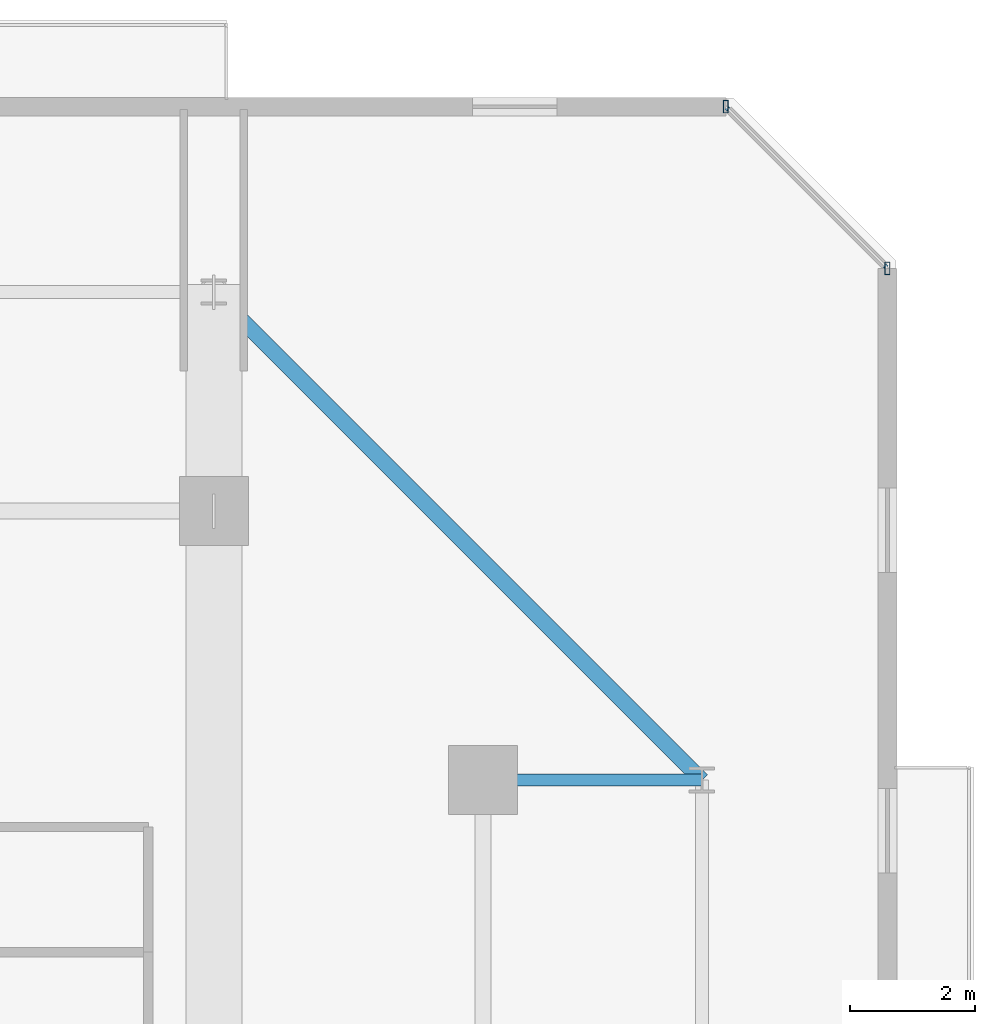
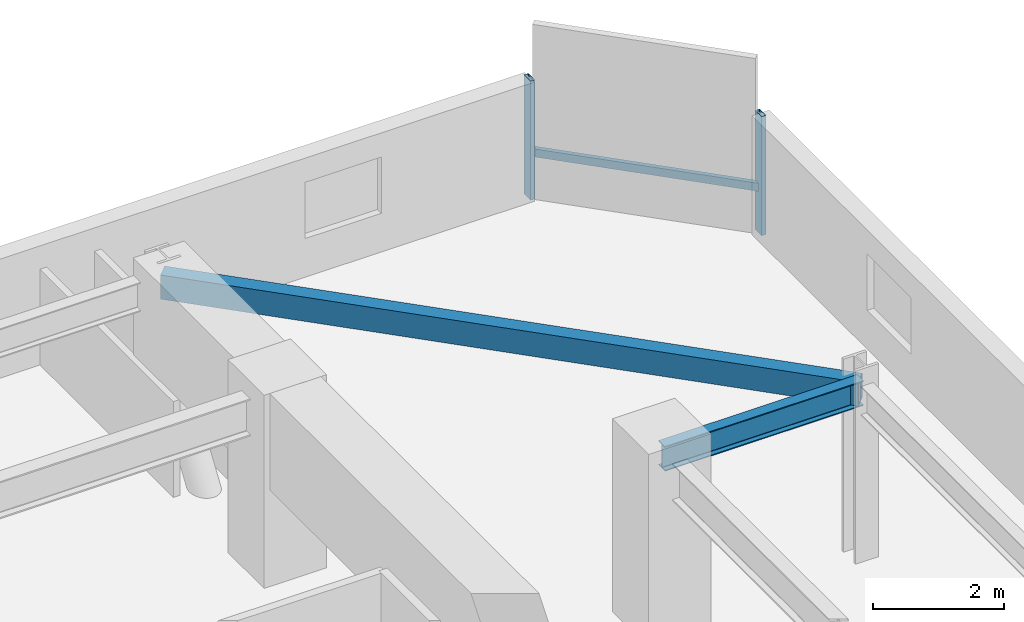
# One storey, part 17 of 36: 3 members, 2 beams, 1 element without a shape of its own.
"""IFC4 building model written with IfcOpenShell, lengths in metres."""

from ifc_helpers import new_model, si_unit, direction, frame, origin, origin_2d, place, context, subcontext, project, spatial, hollow_rectangle, i_section, extrude, material, material_profile, profile_set, type_object, element, aggregate, save


model = new_model("IFC4")

# Units and contexts
model_context = context("Model", 3, precision=1e-05, world=origin(), true_north=direction((0.0, 1.0)))
body_context = subcontext(model_context, "Body", "Model", "MODEL_VIEW")
ifc_project = project(units=[si_unit("LENGTHUNIT", "METRE"), si_unit("AREAUNIT", "SQUARE_METRE"), si_unit("VOLUMEUNIT", "CUBIC_METRE"), si_unit("PLANEANGLEUNIT", "RADIAN"), si_unit("MASSUNIT", "GRAM", prefix="KILO")], contexts=[model_context])

# Site, building, storey
site_placement = place(None, origin())
site = spatial("IfcSite", under=ifc_project, at=site_placement, CompositionType="ELEMENT")
building_placement = place(site_placement, origin())
building = spatial("IfcBuilding", under=site, at=building_placement, Name="Thornwick Lancets Civic Towers", CompositionType="ELEMENT")
storey_placement = place(building_placement, frame((0.0, 0.0, 170.699951171875)))
storey = spatial("IfcBuildingStorey", under=building, at=storey_placement, Name="L45", CompositionType="ELEMENT", Elevation=170.699951171875)

# Beams
ifc_material_1 = material(Name="Steel S355JR", Category="steel")
ifc_material_profile_1 = material_profile(ifc_material_1, i_section(OverallWidth=0.19189453125, OverallDepth=0.46337890625, WebThickness=0.010498046875, FlangeThickness=0.017578125, FilletRadius=0.01025390625, at=origin_2d()), Name="UKB 457x191x89")
ifc_profile_set_1 = profile_set([ifc_material_profile_1], Name="Steel S355JR")
beam_type_1 = type_object("IfcBeamType", Name="BM_JOIST_457_89", PredefinedType="JOIST", material=ifc_profile_set_1)
beam_1_placement = place(storey_placement, frame((105.800048828125, 40.0, 3.04833984375), z_axis=(1.0, 0.0, 0.0), x_axis=(0.0, 1.0, 0.0)))
element("IfcBeam", 1, at=beam_1_placement, inside=storey, type_object=beam_type_1, Name="BM-RAD-L45-B03", PredefinedType="JOIST", context=body_context, shape_type="SweptSolid", body=[
    extrude(i_section(OverallWidth=0.19189453125, OverallDepth=0.46337890625, WebThickness=0.010498046875, FlangeThickness=0.017578125, FilletRadius=0.01025390625, at=origin_2d()), origin(), (0.0, 0.0, 1.0), 3.5),
])
ifc_material_profile_2 = material_profile(ifc_material_1, hollow_rectangle(XDim=0.25, YDim=0.449951171875, WallThickness=0.01611328125, at=origin_2d()), Name="RHS 450x250x16")
ifc_profile_set_2 = profile_set([ifc_material_profile_2], Name="Steel S355JR")
beam_type_2 = type_object("IfcBeamType", Name="BM_RING_RHS450", PredefinedType="BEAM", material=ifc_profile_set_2)
beam_2_placement = place(storey_placement, frame((109.300048828125, 40.0, 3.054931640625), z_axis=(-0.707106781187, 0.707106781187, 0.0), x_axis=(-0.707106781187, -0.707106781187, 0.0)))
element("IfcBeam", 2, at=beam_2_placement, inside=storey, type_object=beam_type_2, Name="BM-CHAMF-L45-B-C0", PredefinedType="BEAM", context=body_context, shape_type="SweptSolid", body=[
    extrude(hollow_rectangle(XDim=0.25, YDim=0.449951171875, WallThickness=0.01611328125, at=origin_2d()), origin(), (0.0, 0.0, 1.0), 11.031005859375),
])

# Curtain wall, members
ifc_material_2 = material(Name="Mid-zone chamfered-corner unitised glass curtain wall", Category="glass")
curtain_wall_type = type_object("IfcCurtainWallType", Name="CW_SYS_04", PredefinedType="NOTDEFINED", material=ifc_material_2)
curtain_wall_placement = place(storey_placement, origin())
curtain_wall = element("IfcCurtainWall", 3, at=curtain_wall_placement, inside=storey, type_object=curtain_wall_type, Name="L45 Curtain Wall CW-L45-B-E3", PredefinedType="NOTDEFINED")
ifc_material_3 = material(Name="Thermally broken bronze aluminium S355", Category="steel")
ifc_material_profile_3 = material_profile(ifc_material_3, hollow_rectangle(XDim=0.080078125, YDim=0.199951171875, WallThickness=0.006103515625, at=origin_2d()), Name="RHS 200x80x6")
ifc_profile_set_3 = profile_set([ifc_material_profile_3], Name="Thermally broken bronze aluminium S355")
member_type_1 = type_object("IfcMemberType", Name="CW_MUL_200", PredefinedType="MULLION", material=ifc_profile_set_3)
member_1_placement = place(storey_placement, frame((112.2646484375, 48.181396484375, 0.0), z_axis=(0.0, 0.0, 1.0), x_axis=(1.0, 0.0, 0.0)))
member_1 = element("IfcMember", 4, at=member_1_placement, type_object=member_type_1, Name="CW-L45-B-E3 Mullion 0", PredefinedType="MULLION", context=body_context, shape_type="SweptSolid", body=[
    extrude(hollow_rectangle(XDim=0.080078125, YDim=0.199951171875, WallThickness=0.006103515625, at=origin_2d()), origin(), (0.0, 0.0, 1.0), 2.219970703125),
])
member_2_placement = place(storey_placement, frame((109.681396484375, 50.7646484375, 0.0), z_axis=(0.0, 0.0, 1.0), x_axis=(1.0, 0.0, 0.0)))
member_2 = element("IfcMember", 5, at=member_2_placement, type_object=member_type_1, Name="CW-L45-B-E3 Mullion 1", PredefinedType="MULLION", context=body_context, shape_type="SweptSolid", body=[
    extrude(hollow_rectangle(XDim=0.080078125, YDim=0.199951171875, WallThickness=0.006103515625, at=origin_2d()), origin(), (0.0, 0.0, 1.0), 2.219970703125),
])
ifc_material_profile_4 = material_profile(ifc_material_3, hollow_rectangle(XDim=0.074951171875, YDim=0.14990234375, WallThickness=0.0048828125, at=origin_2d()), Name="RHS 150x75x5")
ifc_profile_set_4 = profile_set([ifc_material_profile_4], Name="Thermally broken bronze aluminium S355")
member_type_2 = type_object("IfcMemberType", Name="CW_TRN_150", PredefinedType="USERDEFINED", material=ifc_profile_set_4)
member_3_placement = place(storey_placement, frame((112.25048828125, 48.195556640625, 0.85009765625), z_axis=(-0.707106781187, 0.707106781187, 0.0), x_axis=(-0.707106781187, -0.707106781187, 0.0)))
member_3 = element("IfcMember", 6, at=member_3_placement, type_object=member_type_2, Name="CW-L45-B-E3 Transom 0", ObjectType="TRANSOM", PredefinedType="USERDEFINED", context=body_context, shape_type="SweptSolid", body=[
    extrude(hollow_rectangle(XDim=0.074951171875, YDim=0.14990234375, WallThickness=0.0048828125, at=origin_2d()), origin(), (0.0, 0.0, 1.0), 3.61328125),
])
aggregate(curtain_wall, [member_1, member_2, member_3])

save(model, "model.ifc")
